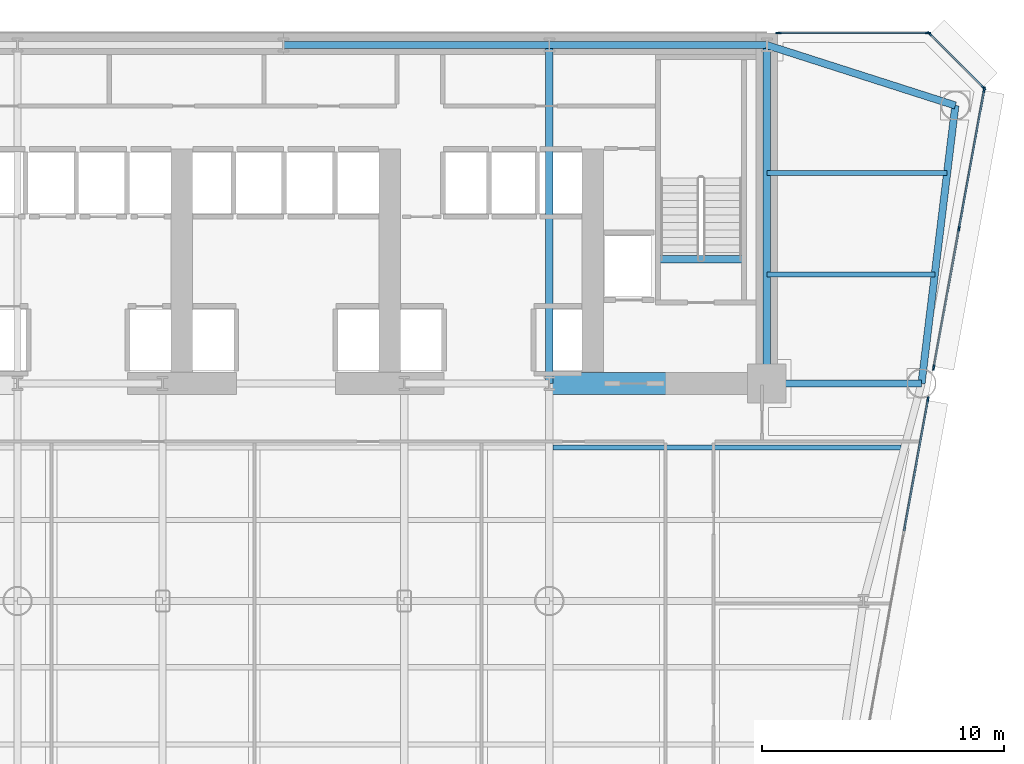
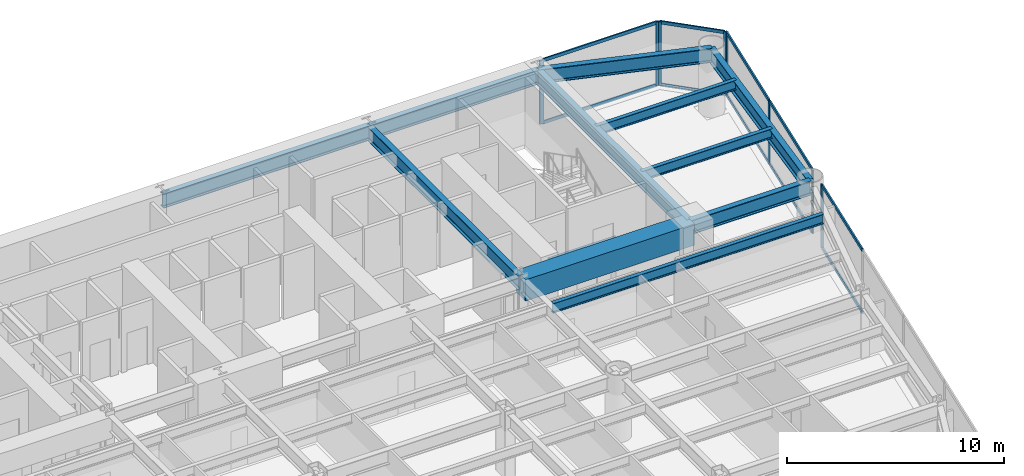
# One storey, part 6 of 14: 18 members, 12 beams, 4 elements without a shape of their own.
"""IFC4 building model written with IfcOpenShell, lengths in metres."""

from ifc_helpers import new_model, si_unit, direction, frame, origin, origin_2d, place, context, subcontext, project, spatial, rectangle, i_section, extrude, source, transform, mapped, material, layer, layer_set, material_profile, profile_set, type_object, element, aggregate, save


model = new_model("IFC4")

# Units and contexts
model_context = context("Model", 3, precision=1e-05, world=origin(), true_north=direction((0.0, 1.0)))
body_context = subcontext(model_context, "Body", "Model", "MODEL_VIEW")
ifc_project = project(units=[si_unit("LENGTHUNIT", "METRE"), si_unit("AREAUNIT", "SQUARE_METRE"), si_unit("VOLUMEUNIT", "CUBIC_METRE"), si_unit("PLANEANGLEUNIT", "RADIAN"), si_unit("MASSUNIT", "GRAM", prefix="KILO")], contexts=[model_context])

# Site, building, storey
site_placement = place(None, origin())
site = spatial("IfcSite", under=ifc_project, at=site_placement, CompositionType="ELEMENT")
building_placement = place(site_placement, origin())
building = spatial("IfcBuilding", under=site, at=building_placement, Name="Vaeldorn Concourse Tower", CompositionType="ELEMENT")
storey_placement = place(building_placement, frame((0.0, 0.0, 26.39990234375)))
storey = spatial("IfcBuildingStorey", under=building, at=storey_placement, Name="L06", CompositionType="ELEMENT", Elevation=26.39990234375)

# Beams
ifc_material_1 = material(Name="Concrete C60/75", Category="concrete")
ifc_material_profile_1 = material_profile(ifc_material_1, rectangle(XDim=0.89990234375, YDim=1.199951171875, at=origin_2d()), Name="RC 900x1200")
ifc_profile_set_1 = profile_set([ifc_material_profile_1], Name="Concrete C60/75")
beam_type_1 = type_object("IfcBeamType", Name="BM-CB-RC900", PredefinedType="BEAM", material=ifc_profile_set_1)
shared_shape_1 = source(origin(), body_context, "Body", "SweptSolid", [
    extrude(rectangle(XDim=0.89990234375, YDim=1.199951171875, at=origin_2d()), origin(), (0.0, 0.0, 1.0), 9.0),
])
beam_1_placement = place(storey_placement, frame((45.0, 36.5, 2.97998046875), z_axis=(1.0, 0.0, 0.0), x_axis=(0.0, 1.0, 0.0)))
element("IfcBeam", 1, at=beam_1_placement, inside=storey, type_object=beam_type_1, Name="Core Coupling Beam L06-2", PredefinedType="BEAM", context=body_context, shape_type="MappedRepresentation", body=[
    mapped(shared_shape_1, transform((0.0, 0.0, 0.0), scale=1.0)),
])
ifc_material_2 = material(Name="Steel S355", Category="steel")
ifc_material_profile_2 = material_profile(ifc_material_2, i_section(OverallWidth=0.300048828125, OverallDepth=0.340087890625, WebThickness=0.011962890625, FlangeThickness=0.021484375, FilletRadius=0.027099609375, at=origin_2d()), Name="HEB 340")
ifc_profile_set_2 = profile_set([ifc_material_profile_2], Name="Steel S355")
beam_type_2 = type_object("IfcBeamType", Name="BM-ST-TRIM", PredefinedType="BEAM", material=ifc_profile_set_2)
shared_shape_2 = source(origin(), body_context, "Body", "SweptSolid", [
    extrude(i_section(OverallWidth=0.300048828125, OverallDepth=0.340087890625, WebThickness=0.011962890625, FlangeThickness=0.021484375, FilletRadius=0.027099609375, at=origin_2d()), origin(), (0.0, 0.0, 1.0), 3.590087890625),
])
beam_2_placement = place(storey_placement, frame((49.47998046875, 41.639892578125, -0.389892578125), z_axis=(1.0, 0.0, 0.0), x_axis=(0.0, 1.0, 0.0)))
element("IfcBeam", 2, at=beam_2_placement, inside=storey, type_object=beam_type_2, Name="Stair Landing Trimmer Beam ST-2 L06", PredefinedType="BEAM", context=body_context, shape_type="MappedRepresentation", body=[
    mapped(shared_shape_2, transform((0.0, 0.0, 0.0), scale=1.0)),
])
ifc_material_profile_3 = material_profile(ifc_material_2, i_section(OverallWidth=0.300048828125, OverallDepth=0.800048828125, WebThickness=0.017578125, FlangeThickness=0.032958984375, FilletRadius=0.030029296875, at=origin_2d()), Name="HEB 800")
ifc_profile_set_3 = profile_set([ifc_material_profile_3], Name="Steel S355")
beam_type_3 = type_object("IfcBeamType", Name="BM-PG-HEB800", PredefinedType="BEAM", material=ifc_profile_set_3)
shared_shape_3 = source(origin(), body_context, "Body", "SweptSolid", [
    extrude(i_section(OverallWidth=0.300048828125, OverallDepth=0.800048828125, WebThickness=0.017578125, FlangeThickness=0.032958984375, FilletRadius=0.030029296875, at=origin_2d()), origin(), (0.0, 0.0, 1.0), 9.0),
])
beam_3_placement = place(storey_placement, frame((45.0, 50.5, 3.18017578125), z_axis=(1.0, 0.0, 0.0), x_axis=(0.0, 1.0, 0.0)))
element("IfcBeam", 3, at=beam_3_placement, inside=storey, type_object=beam_type_3, Name="Beam BM-L06-C-HC4-C-HC5", PredefinedType="BEAM", context=body_context, shape_type="MappedRepresentation", body=[
    mapped(shared_shape_3, transform((0.0, 0.0, 0.0), scale=1.0)),
])
shared_shape_4 = source(origin(), body_context, "Body", "SweptSolid", [
    extrude(i_section(OverallWidth=0.300048828125, OverallDepth=0.800048828125, WebThickness=0.017578125, FlangeThickness=0.032958984375, FilletRadius=0.030029296875, at=origin_2d()), origin(), (0.0, 0.0, 1.0), 11.0),
])
beam_4_placement = place(storey_placement, frame((34.0, 50.5, 3.18017578125), z_axis=(1.0, 0.0, 0.0), x_axis=(0.0, 1.0, 0.0)))
element("IfcBeam", 4, at=beam_4_placement, inside=storey, type_object=beam_type_3, Name="Beam BM-L06-C-HC3-C-HC4", PredefinedType="BEAM", context=body_context, shape_type="MappedRepresentation", body=[
    mapped(shared_shape_4, transform((0.0, 0.0, 0.0), scale=1.0)),
])
shared_shape_5 = source(origin(), body_context, "Body", "SweptSolid", [
    extrude(i_section(OverallWidth=0.300048828125, OverallDepth=0.800048828125, WebThickness=0.017578125, FlangeThickness=0.032958984375, FilletRadius=0.030029296875, at=origin_2d()), origin(), (0.0, 0.0, 1.0), 14.0),
])
for number, where, z_axis, x_axis, name in (
    (5, (45.0, 36.5, 3.18017578125), (0.0, 1.0, 0.0), (-1.0, 0.0, 0.0), "Beam BM-L06-C-FC5-C-HC4"),
    (6, (54.0, 36.5, 3.18017578125), (0.0, 1.0, 0.0), (-1.0, 0.0, 0.0), "Beam BM-L06-C-FC6-C-HC5"),
):
    element("IfcBeam", number, at=place(storey_placement, frame(where, z_axis=z_axis, x_axis=x_axis)), inside=storey, type_object=beam_type_3, Name=name, PredefinedType="BEAM", context=body_context, shape_type="MappedRepresentation", body=[
        mapped(shared_shape_5, transform((0.0, 0.0, 0.0), scale=1.0)),
    ])
shared_shape_6 = source(origin(), body_context, "Body", "SweptSolid", [
    extrude(i_section(OverallWidth=0.300048828125, OverallDepth=0.800048828125, WebThickness=0.017578125, FlangeThickness=0.032958984375, FilletRadius=0.030029296875, at=origin_2d()), origin(), (0.0, 0.0, 1.0), 8.19091796875),
])
beam_5_placement = place(storey_placement, frame((54.0, 50.5, 3.18017578125), z_axis=(0.952282843383, -0.305216949396, 0.0), x_axis=(0.305216949396, 0.952282843383, 0.0)))
element("IfcBeam", 7, at=beam_5_placement, inside=storey, type_object=beam_type_3, Name="Beam BM-L06-C-HC5-C-NE1", PredefinedType="BEAM", context=body_context, shape_type="MappedRepresentation", body=[
    mapped(shared_shape_6, transform((0.0, 0.0, 0.0), scale=1.0)),
])
shared_shape_7 = source(origin(), body_context, "Body", "SweptSolid", [
    extrude(i_section(OverallWidth=0.300048828125, OverallDepth=0.800048828125, WebThickness=0.017578125, FlangeThickness=0.032958984375, FilletRadius=0.030029296875, at=origin_2d()), origin(), (0.0, 0.0, 1.0), 11.5849609375),
])
beam_6_placement = place(storey_placement, frame((61.800048828125, 48.0, 3.18017578125), z_axis=(-0.120859382899, -0.992669637677, 0.0), x_axis=(0.992669637677, -0.120859382899, 0.0)))
element("IfcBeam", 8, at=beam_6_placement, inside=storey, type_object=beam_type_3, Name="Beam BM-L06-C-NE1-C-NE2", PredefinedType="BEAM", context=body_context, shape_type="MappedRepresentation", body=[
    mapped(shared_shape_7, transform((0.0, 0.0, 0.0), scale=1.0)),
])
shared_shape_8 = source(origin(), body_context, "Body", "SweptSolid", [
    extrude(i_section(OverallWidth=0.300048828125, OverallDepth=0.800048828125, WebThickness=0.017578125, FlangeThickness=0.032958984375, FilletRadius=0.030029296875, at=origin_2d()), origin(), (0.0, 0.0, 1.0), 6.39990234375),
])
beam_7_placement = place(storey_placement, frame((54.0, 36.5, 3.18017578125), z_axis=(1.0, 0.0, 0.0), x_axis=(0.0, 1.0, 0.0)))
element("IfcBeam", 9, at=beam_7_placement, inside=storey, type_object=beam_type_3, Name="Beam BM-L06-C-FC6-C-NE2", PredefinedType="BEAM", context=body_context, shape_type="MappedRepresentation", body=[
    mapped(shared_shape_8, transform((0.0, 0.0, 0.0), scale=1.0)),
])
ifc_material_profile_4 = material_profile(ifc_material_2, i_section(OverallWidth=0.2099609375, OverallDepth=0.550048828125, WebThickness=0.010986328125, FlangeThickness=0.01708984375, FilletRadius=0.02392578125, at=origin_2d()), Name="IPE 550")
ifc_profile_set_4 = profile_set([ifc_material_profile_4], Name="Steel S355")
beam_type_4 = type_object("IfcBeamType", Name="BM-JS-IPE550", PredefinedType="JOIST", material=ifc_profile_set_4)
shared_shape_9 = source(origin(), body_context, "Body", "SweptSolid", [
    extrude(i_section(OverallWidth=0.2099609375, OverallDepth=0.550048828125, WebThickness=0.010986328125, FlangeThickness=0.01708984375, FilletRadius=0.02392578125, at=origin_2d()), origin(), (0.0, 0.0, 1.0), 6.94775390625),
])
beam_8_placement = place(storey_placement, frame((54.0, 41.0, 3.30517578125), z_axis=(1.0, 0.0, 0.0), x_axis=(0.0, 1.0, 0.0)))
element("IfcBeam", 10, at=beam_8_placement, inside=storey, type_object=beam_type_4, Name="Beam JS-L06-NE-410", PredefinedType="JOIST", context=body_context, shape_type="MappedRepresentation", body=[
    mapped(shared_shape_9, transform((0.0, 0.0, 0.0), scale=1.0)),
])
shared_shape_10 = source(origin(), body_context, "Body", "SweptSolid", [
    extrude(i_section(OverallWidth=0.2099609375, OverallDepth=0.550048828125, WebThickness=0.010986328125, FlangeThickness=0.01708984375, FilletRadius=0.02392578125, at=origin_2d()), origin(), (0.0, 0.0, 1.0), 7.458984375),
])
beam_9_placement = place(storey_placement, frame((54.0, 45.199951171875, 3.30517578125), z_axis=(1.0, 0.0, 0.0), x_axis=(0.0, 1.0, 0.0)))
element("IfcBeam", 11, at=beam_9_placement, inside=storey, type_object=beam_type_4, Name="Beam JS-L06-NE-452", PredefinedType="JOIST", context=body_context, shape_type="MappedRepresentation", body=[
    mapped(shared_shape_10, transform((0.0, 0.0, 0.0), scale=1.0)),
])
shared_shape_11 = source(origin(), body_context, "Body", "SweptSolid", [
    extrude(i_section(OverallWidth=0.2099609375, OverallDepth=0.550048828125, WebThickness=0.010986328125, FlangeThickness=0.01708984375, FilletRadius=0.02392578125, at=origin_2d()), origin(), (0.0, 0.0, 1.0), 14.39599609375),
])
beam_10_placement = place(storey_placement, frame((45.14990234375, 33.860107421875, 3.30517578125), z_axis=(1.0, 0.0, 0.0), x_axis=(0.0, 1.0, 0.0)))
element("IfcBeam", 12, at=beam_10_placement, inside=storey, type_object=beam_type_4, Name="Beam JS-L06-E1-338", PredefinedType="JOIST", context=body_context, shape_type="MappedRepresentation", body=[
    mapped(shared_shape_11, transform((0.0, 0.0, 0.0), scale=1.0)),
])

# Curtain wall, members
ifc_material_3 = material(Name="Anodised Bronze Aluminium", Category="aluminium")
ifc_layer = layer(ifc_material_3, 0.219970703125)
ifc_layer_set = layer_set([ifc_layer], Name="Anodised Bronze Aluminium")
curtain_wall_type = type_object("IfcCurtainWallType", Name="CW-SYS-01", PredefinedType="NOTDEFINED", material=ifc_layer_set)
curtain_wall_1_placement = place(storey_placement, origin())
curtain_wall_1 = element("IfcCurtainWall", 13, at=curtain_wall_1_placement, inside=storey, type_object=curtain_wall_type, Name="Unitised Curtain Wall CW-L06-E07-2", PredefinedType="NOTDEFINED")
ifc_material_profile_5 = material_profile(ifc_material_3, rectangle(XDim=0.074951171875, YDim=0.179931640625, at=origin_2d()), Name="CWT 75x180")
ifc_profile_set_5 = profile_set([ifc_material_profile_5], Name="Anodised Bronze Aluminium")
member_type_1 = type_object("IfcMemberType", Name="CWT-BRONZE-180", PredefinedType="USERDEFINED", material=ifc_profile_set_5)
shared_shape_12 = source(origin(), body_context, "Body", "SweptSolid", [
    extrude(rectangle(XDim=0.074951171875, YDim=0.179931640625, at=origin_2d()), origin(), (0.0, 0.0, 1.0), 5.772216796875),
])
member_1_placement = place(storey_placement, frame((60.9111328125, 37.193359375, 0.03759765625), z_axis=(0.178613725347, 0.983919273679, 0.0), x_axis=(-0.983919273679, 0.178613725347, 0.0)))
member_1 = element("IfcMember", 14, at=member_1_placement, type_object=member_type_1, Name="CW-01 transom 1.1", ObjectType="TRANSOM", PredefinedType="USERDEFINED", context=body_context, shape_type="MappedRepresentation", body=[
    mapped(shared_shape_12, transform((0.0, 0.0, 0.0), scale=1.0)),
])
member_2_placement = place(storey_placement, frame((60.9111328125, 37.193359375, 3.54248046875), z_axis=(0.178613725347, 0.983919273679, 0.0), x_axis=(-0.983919273679, 0.178613725347, 0.0)))
member_2 = element("IfcMember", 15, at=member_2_placement, type_object=member_type_1, Name="CW-01 transom 1.2", ObjectType="TRANSOM", PredefinedType="USERDEFINED", context=body_context, shape_type="MappedRepresentation", body=[
    mapped(shared_shape_12, transform((0.0, 0.0, 0.0), scale=1.0)),
])

curtain_wall_2_placement = place(storey_placement, origin())
curtain_wall_2 = element("IfcCurtainWall", 16, at=curtain_wall_2_placement, inside=storey, type_object=curtain_wall_type, Name="Unitised Curtain Wall CW-L06-E08-1", PredefinedType="NOTDEFINED")
shared_shape_13 = source(origin(), body_context, "Body", "SweptSolid", [
    extrude(rectangle(XDim=0.074951171875, YDim=0.179931640625, at=origin_2d()), origin(), (0.0, 0.0, 1.0), 3.10302734375),
])
member_3_placement = place(storey_placement, frame((62.947021484375, 48.7529296875, 0.03759765625), z_axis=(-0.707106781187, 0.707106781187, 0.0), x_axis=(-0.707106781187, -0.707106781187, 0.0)))
member_3 = element("IfcMember", 17, at=member_3_placement, type_object=member_type_1, Name="CW-01 transom 1.1", ObjectType="TRANSOM", PredefinedType="USERDEFINED", context=body_context, shape_type="MappedRepresentation", body=[
    mapped(shared_shape_13, transform((0.0, 0.0, 0.0), scale=1.0)),
])
member_4_placement = place(storey_placement, frame((62.947021484375, 48.7529296875, 3.54248046875), z_axis=(-0.707106781187, 0.707106781187, 0.0), x_axis=(-0.707106781187, -0.707106781187, 0.0)))
member_4 = element("IfcMember", 18, at=member_4_placement, type_object=member_type_1, Name="CW-01 transom 1.2", ObjectType="TRANSOM", PredefinedType="USERDEFINED", context=body_context, shape_type="MappedRepresentation", body=[
    mapped(shared_shape_13, transform((0.0, 0.0, 0.0), scale=1.0)),
])

curtain_wall_3_placement = place(storey_placement, origin())
curtain_wall_3 = element("IfcCurtainWall", 19, at=curtain_wall_3_placement, inside=storey, type_object=curtain_wall_type, Name="Unitised Curtain Wall CW-L06-E09-1", PredefinedType="NOTDEFINED")
shared_shape_14 = source(origin(), body_context, "Body", "SweptSolid", [
    extrude(rectangle(XDim=0.074951171875, YDim=0.179931640625, at=origin_2d()), origin(), (0.0, 0.0, 1.0), 6.10498046875),
])
member_5_placement = place(storey_placement, frame((60.625, 51.0, 0.03759765625), z_axis=(-1.0, 0.0, 0.0), x_axis=(0.0, -1.0, 0.0)))
member_5 = element("IfcMember", 20, at=member_5_placement, type_object=member_type_1, Name="CW-01 transom 1.1", ObjectType="TRANSOM", PredefinedType="USERDEFINED", context=body_context, shape_type="MappedRepresentation", body=[
    mapped(shared_shape_14, transform((0.0, 0.0, 0.0), scale=1.0)),
])
member_6_placement = place(storey_placement, frame((60.625, 51.0, 3.54248046875), z_axis=(-1.0, 0.0, 0.0), x_axis=(0.0, -1.0, 0.0)))
member_6 = element("IfcMember", 21, at=member_6_placement, type_object=member_type_1, Name="CW-01 transom 1.2", ObjectType="TRANSOM", PredefinedType="USERDEFINED", context=body_context, shape_type="MappedRepresentation", body=[
    mapped(shared_shape_14, transform((0.0, 0.0, 0.0), scale=1.0)),
])

# Member
shared_shape_15 = source(origin(), body_context, "Body", "SweptSolid", [
    extrude(rectangle(XDim=0.074951171875, YDim=0.179931640625, at=origin_2d()), origin(), (0.0, 0.0, 1.0), 5.7724609375),
])
member_7_placement = place(storey_placement, frame((61.95556640625, 42.946533203125, 0.03759765625), z_axis=(0.178606292584, 0.983920622941, 0.0), x_axis=(-0.983920622941, 0.178606292584, 0.0)))
member_7 = element("IfcMember", 22, at=member_7_placement, type_object=member_type_1, Name="CW-01 transom 2.1", ObjectType="TRANSOM", PredefinedType="USERDEFINED", context=body_context, shape_type="MappedRepresentation", body=[
    mapped(shared_shape_15, transform((0.0, 0.0, 0.0), scale=1.0)),
])

member_8_placement = place(storey_placement, frame((61.95556640625, 42.946533203125, 3.54248046875), z_axis=(0.178606292584, 0.983920622941, 0.0), x_axis=(-0.983920622941, 0.178606292584, 0.0)))
member_8 = element("IfcMember", 23, at=member_8_placement, type_object=member_type_1, Name="CW-01 transom 2.2", ObjectType="TRANSOM", PredefinedType="USERDEFINED", context=body_context, shape_type="MappedRepresentation", body=[
    mapped(shared_shape_15, transform((0.0, 0.0, 0.0), scale=1.0)),
])

# Curtain wall, member
curtain_wall_4_placement = place(storey_placement, origin())
curtain_wall_4 = element("IfcCurtainWall", 24, at=curtain_wall_4_placement, inside=storey, type_object=curtain_wall_type, Name="Unitised Curtain Wall CW-L06-E07-1", PredefinedType="NOTDEFINED")
ifc_material_profile_6 = material_profile(ifc_material_3, rectangle(XDim=0.074951171875, YDim=0.219970703125, at=origin_2d()), Name="CWM 75x220")
ifc_profile_set_6 = profile_set([ifc_material_profile_6], Name="Anodised Bronze Aluminium")
member_type_2 = type_object("IfcMemberType", Name="CWM-BRONZE-220", PredefinedType="MULLION", material=ifc_profile_set_6)
shared_shape_16 = source(origin(), body_context, "Body", "SweptSolid", [
    extrude(rectangle(XDim=0.074951171875, YDim=0.219970703125, at=origin_2d()), origin(), (0.0, 0.0, 1.0), 3.580078125),
])
member_9_placement = place(storey_placement, frame((60.666259765625, 35.843505859375, 0.0), z_axis=(0.0, 0.0, 1.0), x_axis=(-0.983920092351, 0.178609215521, 0.0)))
member_9 = element("IfcMember", 25, at=member_9_placement, type_object=member_type_2, Name="CW-01 mullion 7", PredefinedType="MULLION", context=body_context, shape_type="MappedRepresentation", body=[
    mapped(shared_shape_16, transform((0.0, 0.0, 0.0), scale=1.0)),
])

# Member
member_10_placement = place(storey_placement, frame((60.904541015625, 37.156494140625, 0.0), z_axis=(0.0, 0.0, 1.0), x_axis=(-0.983919898141, 0.178610285377, 0.0)))
member_10 = element("IfcMember", 26, at=member_10_placement, type_object=member_type_2, Name="CW-01 mullion 1", PredefinedType="MULLION", context=body_context, shape_type="MappedRepresentation", body=[
    mapped(shared_shape_16, transform((0.0, 0.0, 0.0), scale=1.0)),
])

member_11_placement = place(storey_placement, frame((61.948974609375, 42.90966796875, 0.0), z_axis=(0.0, 0.0, 1.0), x_axis=(-0.983919898141, 0.178610285377, 0.0)))
member_11 = element("IfcMember", 27, at=member_11_placement, type_object=member_type_2, Name="CW-01 mullion 2", PredefinedType="MULLION", context=body_context, shape_type="MappedRepresentation", body=[
    mapped(shared_shape_16, transform((0.0, 0.0, 0.0), scale=1.0)),
])

member_12_placement = place(storey_placement, frame((62.993408203125, 48.6630859375, 0.0), z_axis=(0.0, 0.0, 1.0), x_axis=(-0.983919898141, 0.178610285377, 0.0)))
member_12 = element("IfcMember", 28, at=member_12_placement, type_object=member_type_2, Name="CW-01 mullion 3", PredefinedType="MULLION", context=body_context, shape_type="MappedRepresentation", body=[
    mapped(shared_shape_16, transform((0.0, 0.0, 0.0), scale=1.0)),
])

aggregate(curtain_wall_1, [member_10, member_11, member_12, member_1, member_2, member_7, member_8])

member_13_placement = place(storey_placement, frame((62.973388671875, 48.7265625, 0.0), z_axis=(0.0, 0.0, 1.0), x_axis=(-0.707106781187, -0.707106781187, 0.0)))
member_13 = element("IfcMember", 29, at=member_13_placement, type_object=member_type_2, Name="CW-01 mullion 1", PredefinedType="MULLION", context=body_context, shape_type="MappedRepresentation", body=[
    mapped(shared_shape_16, transform((0.0, 0.0, 0.0), scale=1.0)),
])

member_14_placement = place(storey_placement, frame((60.7265625, 50.973388671875, 0.0), z_axis=(0.0, 0.0, 1.0), x_axis=(-0.707106781187, -0.707106781187, 0.0)))
member_14 = element("IfcMember", 30, at=member_14_placement, type_object=member_type_2, Name="CW-01 mullion 2", PredefinedType="MULLION", context=body_context, shape_type="MappedRepresentation", body=[
    mapped(shared_shape_16, transform((0.0, 0.0, 0.0), scale=1.0)),
])

aggregate(curtain_wall_2, [member_13, member_14, member_3, member_4])

member_15_placement = place(storey_placement, frame((60.66259765625, 51.0, 0.0), z_axis=(0.0, 0.0, 1.0), x_axis=(0.0, -1.0, 0.0)))
member_15 = element("IfcMember", 31, at=member_15_placement, type_object=member_type_2, Name="CW-01 mullion 1", PredefinedType="MULLION", context=body_context, shape_type="MappedRepresentation", body=[
    mapped(shared_shape_16, transform((0.0, 0.0, 0.0), scale=1.0)),
])

member_16_placement = place(storey_placement, frame((54.482421875, 51.0, 0.0), z_axis=(0.0, 0.0, 1.0), x_axis=(0.0, -1.0, 0.0)))
member_16 = element("IfcMember", 32, at=member_16_placement, type_object=member_type_2, Name="CW-01 mullion 2", PredefinedType="MULLION", context=body_context, shape_type="MappedRepresentation", body=[
    mapped(shared_shape_16, transform((0.0, 0.0, 0.0), scale=1.0)),
])

aggregate(curtain_wall_3, [member_15, member_16, member_5, member_6])

shared_shape_17 = source(origin(), body_context, "Body", "SweptSolid", [
    extrude(rectangle(XDim=0.074951171875, YDim=0.179931640625, at=origin_2d()), origin(), (0.0, 0.0, 1.0), 5.49462890625),
])
member_17_placement = place(storey_placement, frame((59.677978515625, 30.400390625, 0.03759765625), z_axis=(0.178619546254, 0.983918216975, 0.0), x_axis=(-0.983918216975, 0.178619546254, 0.0)))
member_17 = element("IfcMember", 33, at=member_17_placement, type_object=member_type_1, Name="CW-01 transom 6.1", ObjectType="TRANSOM", PredefinedType="USERDEFINED", context=body_context, shape_type="MappedRepresentation", body=[
    mapped(shared_shape_17, transform((0.0, 0.0, 0.0), scale=1.0)),
])

member_18_placement = place(storey_placement, frame((59.677978515625, 30.400390625, 3.54248046875), z_axis=(0.178619546254, 0.983918216975, 0.0), x_axis=(-0.983918216975, 0.178619546254, 0.0)))
member_18 = element("IfcMember", 34, at=member_18_placement, type_object=member_type_1, Name="CW-01 transom 6.2", ObjectType="TRANSOM", PredefinedType="USERDEFINED", context=body_context, shape_type="MappedRepresentation", body=[
    mapped(shared_shape_17, transform((0.0, 0.0, 0.0), scale=1.0)),
])

aggregate(curtain_wall_4, [member_9, member_17, member_18])

save(model, "model.ifc")
